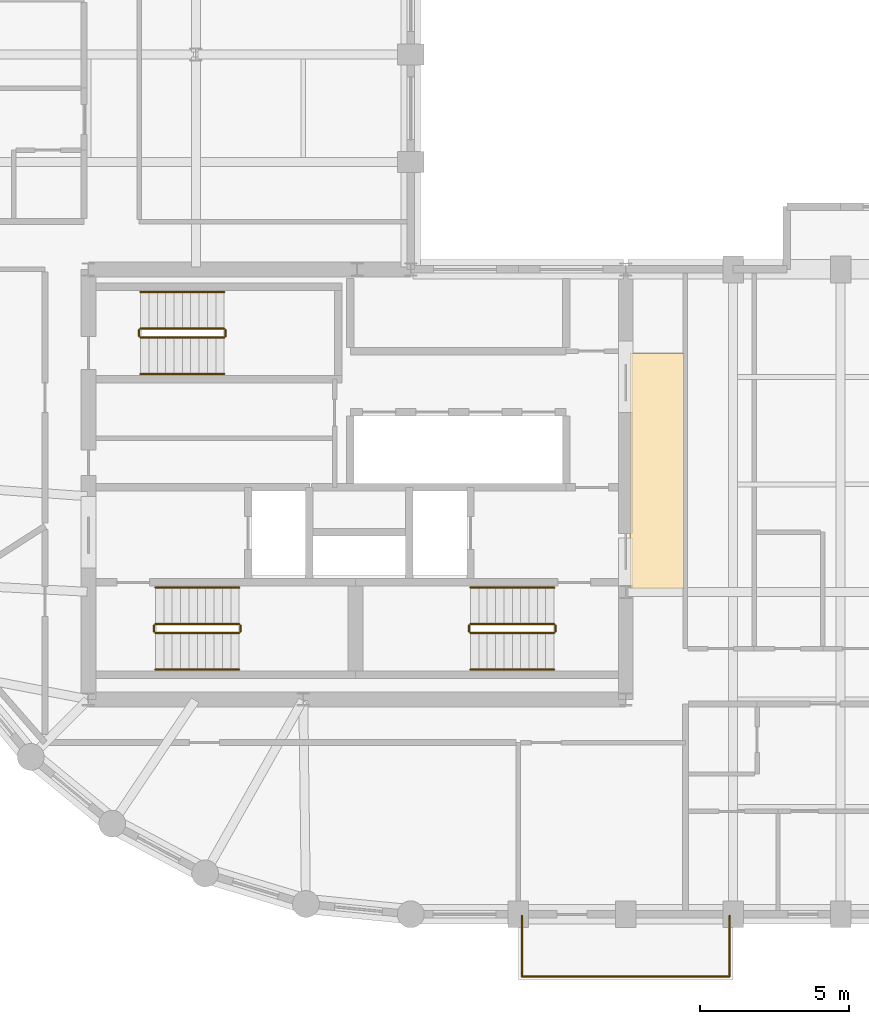
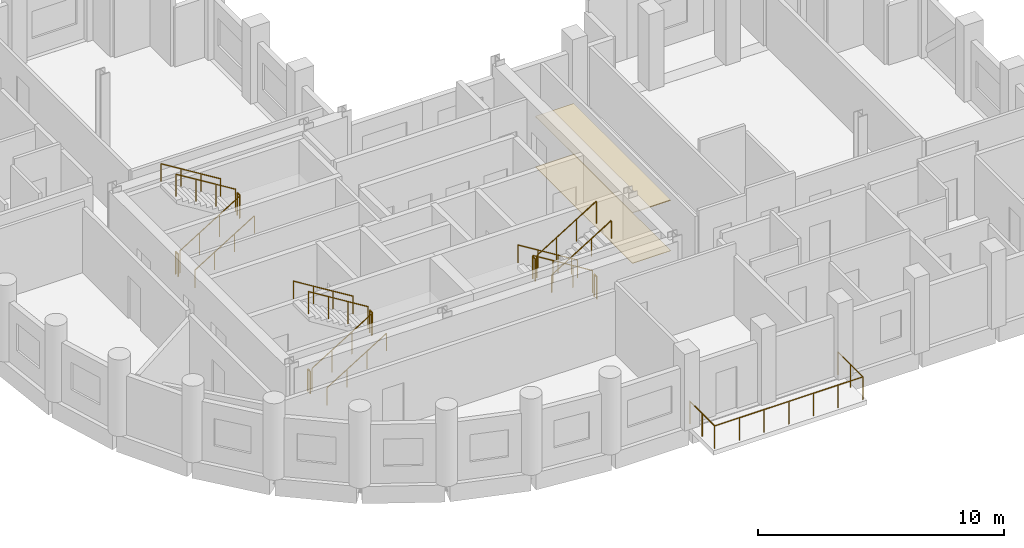
# One storey, part 8 of 8: 21 railings, 2 coverings.
"""IFC4 building model written with IfcOpenShell, lengths in metres."""

from ifc_helpers import new_model, si_unit, direction, frame, origin, origin_2d, place, context, subcontext, project, spatial, polyline, circle, outline, extrude, material, layer, layer_set, type_object, element, save


model = new_model("IFC4")

# Units and contexts
model_context = context("Model", 3, precision=1e-05, world=origin(), true_north=direction((0.0, 1.0)))
body_context = subcontext(model_context, "Body", "Model", "MODEL_VIEW")
ifc_project = project(units=[si_unit("LENGTHUNIT", "METRE"), si_unit("AREAUNIT", "SQUARE_METRE"), si_unit("VOLUMEUNIT", "CUBIC_METRE"), si_unit("PLANEANGLEUNIT", "RADIAN"), si_unit("MASSUNIT", "GRAM", prefix="KILO")], contexts=[model_context])

# Site, building, storey
site_placement = place(None, origin())
site = spatial("IfcSite", under=ifc_project, at=site_placement, CompositionType="ELEMENT")
building_placement = place(site_placement, origin())
building = spatial("IfcBuilding", under=site, at=building_placement, Name="Solnavia Interchange Tower", CompositionType="ELEMENT")
storey_placement = place(building_placement, frame((0.0, 0.0, 178.60009765625)))
storey = spatial("IfcBuildingStorey", under=building, at=storey_placement, Name="L44", CompositionType="ELEMENT", Elevation=178.60009765625)

# Coverings
ifc_material_1 = material(Name="Perforated Mineral-Fibre & Gypsum Ceiling", Category="gypsum")
ifc_layer_1 = layer(ifc_material_1, 0.0400390625)
ifc_layer_set_1 = layer_set([ifc_layer_1], Name="Perforated Mineral-Fibre & Gypsum Ceiling")
covering_type_1 = type_object("IfcCoveringType", Name="Covering-Ceiling-Acoustic40", PredefinedType="CEILING", material=ifc_layer_set_1)
covering_1_placement = place(storey_placement, frame((0.0, 0.0, 2.5)))
element("IfcCovering", 1, at=covering_1_placement, inside=storey, type_object=covering_type_1, Name="CLG-L44-01 Circulation suspended acoustic ceiling", PredefinedType="CEILING", context=body_context, shape_type="SweptSolid", body=[
    extrude(outline(polyline([(32.550048828125, 14.5), (34.35009765625, 14.5), (34.35009765625, 22.39990234375), (32.550048828125, 22.39990234375), (32.550048828125, 14.5)])), origin(), (0.0, 0.0, 1.0), 0.039794921875),
])
ifc_material_2 = material(Name="Engineered European Oak Flooring", Category="wood")
ifc_layer_2 = layer(ifc_material_2, 0.02001953125)
ifc_layer_set_2 = layer_set([ifc_layer_2], Name="Engineered European Oak Flooring")
covering_type_2 = type_object("IfcCoveringType", Name="Covering-Flooring-Timber20", PredefinedType="FLOORING", material=ifc_layer_set_2)
covering_2_placement = place(storey_placement, origin())
element("IfcCovering", 2, at=covering_2_placement, inside=storey, type_object=covering_type_2, Name="FLR-L44-01 Circulation floor finish", PredefinedType="FLOORING", context=body_context, shape_type="SweptSolid", body=[
    extrude(outline(polyline([(32.550048828125, 14.5), (34.35009765625, 14.5), (34.35009765625, 22.39990234375), (32.550048828125, 22.39990234375), (32.550048828125, 14.5)])), origin(), (0.0, 0.0, 1.0), 0.02001953125),
])

# Railings
ifc_material_3 = material(Name="Painted Steel Balustrade", Category="steel")
railing_type_1 = type_object("IfcRailingType", Name="Railing-StairGuard-1100", PredefinedType="GUARDRAIL", material=ifc_material_3)
railing_1_placement = place(storey_placement, frame((16.64990234375, 13.02001953125, 0.172607421875)))
element("IfcRailing", 3, at=railing_1_placement, inside=storey, type_object=railing_type_1, Name="L44 ST-1 stair guard 1", PredefinedType="GUARDRAIL", context=body_context, shape_type="SweptSolid", body=[
    extrude(circle(Radius=0.02392578125, at=origin_2d()), frame((0.0, 0.0, 1.09619140625), z_axis=(0.851089632645, 0.0, 0.525020415988), x_axis=(0.0, 1.0, 0.0)), (0.0, 0.0, 1.0), 3.2900390625),
    extrude(circle(Radius=0.02099609375, at=origin_2d()), origin(), (0.0, 0.0, 1.0), 1.072021484375),
    extrude(circle(Radius=0.02099609375, at=origin_2d()), frame((0.933349609375, 0.0, 0.57568359375)), (0.0, 0.0, 1.0), 1.072021484375),
    extrude(circle(Radius=0.02099609375, at=origin_2d()), frame((1.86669921875, 0.0, 1.151611328125)), (0.0, 0.0, 1.0), 1.072021484375),
    extrude(circle(Radius=0.02099609375, at=origin_2d()), frame((2.800048828125, 0.0, 1.727294921875)), (0.0, 0.0, 1.0), 1.072021484375),
])
railing_2_placement = place(storey_placement, frame((19.5, 13.070068359375, 1.89990234375)))
element("IfcRailing", 4, at=railing_2_placement, inside=storey, type_object=railing_type_1, Name="L44 ST-1 stair guard 2", PredefinedType="GUARDRAIL", context=body_context, shape_type="SweptSolid", body=[
    extrude(circle(Radius=0.02392578125, at=origin_2d()), frame((0.0, 0.0, 1.09619140625), z_axis=(0.0, 1.0, 0.0), x_axis=(-1.0, 0.0, 0.0)), (0.0, 0.0, 1.0), 0.199951171875),
    extrude(circle(Radius=0.02099609375, at=origin_2d()), origin(), (0.0, 0.0, 1.0), 1.072021484375),
    extrude(circle(Radius=0.02099609375, at=origin_2d()), frame((0.0, 0.199951171875, 0.0)), (0.0, 0.0, 1.0), 1.072021484375),
])
railing_3_placement = place(storey_placement, frame((19.449951171875, 13.320068359375, 2.072509765625)))
element("IfcRailing", 5, at=railing_3_placement, inside=storey, type_object=railing_type_1, Name="L44 ST-1 stair guard 3", PredefinedType="GUARDRAIL", context=body_context, shape_type="SweptSolid", body=[
    extrude(circle(Radius=0.02392578125, at=origin_2d()), frame((0.0, 0.0, 1.09619140625), z_axis=(-0.851089632645, 0.0, 0.525020415988), x_axis=(0.0, -1.0, 0.0)), (0.0, 0.0, 1.0), 3.2900390625),
    extrude(circle(Radius=0.02099609375, at=origin_2d()), origin(), (0.0, 0.0, 1.0), 1.072021484375),
    extrude(circle(Radius=0.02099609375, at=origin_2d()), frame((-0.933349609375, 0.0, 0.57568359375)), (0.0, 0.0, 1.0), 1.072021484375),
    extrude(circle(Radius=0.02099609375, at=origin_2d()), frame((-1.86669921875, 0.0, 1.151611328125)), (0.0, 0.0, 1.0), 1.072021484375),
    extrude(circle(Radius=0.02099609375, at=origin_2d()), frame((-2.800048828125, 0.0, 1.727294921875)), (0.0, 0.0, 1.0), 1.072021484375),
])
railing_4_placement = place(storey_placement, frame((16.60009765625, 13.070068359375, 0.0)))
element("IfcRailing", 6, at=railing_4_placement, inside=storey, type_object=railing_type_1, Name="L44 ST-1 stair guard 4", PredefinedType="GUARDRAIL", context=body_context, shape_type="SweptSolid", body=[
    extrude(circle(Radius=0.02392578125, at=origin_2d()), frame((0.0, 0.0, 1.09619140625), z_axis=(0.0, 1.0, 0.0), x_axis=(-1.0, 0.0, 0.0)), (0.0, 0.0, 1.0), 0.199951171875),
    extrude(circle(Radius=0.02099609375, at=origin_2d()), origin(), (0.0, 0.0, 1.0), 1.072021484375),
    extrude(circle(Radius=0.02099609375, at=origin_2d()), frame((0.0, 0.199951171875, 0.0)), (0.0, 0.0, 1.0), 1.072021484375),
])
railing_5_placement = place(storey_placement, frame((30.0, 13.320068359375, 0.172607421875)))
element("IfcRailing", 7, at=railing_5_placement, inside=storey, type_object=railing_type_1, Name="L44 ST-2 stair guard 1", PredefinedType="GUARDRAIL", context=body_context, shape_type="SweptSolid", body=[
    extrude(circle(Radius=0.02392578125, at=origin_2d()), frame((0.0, 0.0, 1.09619140625), z_axis=(-0.851089632645, 0.0, 0.525020415988), x_axis=(0.0, -1.0, 0.0)), (0.0, 0.0, 1.0), 3.2900390625),
    extrude(circle(Radius=0.02099609375, at=origin_2d()), origin(), (0.0, 0.0, 1.0), 1.072021484375),
    extrude(circle(Radius=0.02099609375, at=origin_2d()), frame((-0.933349609375, 0.0, 0.57568359375)), (0.0, 0.0, 1.0), 1.072021484375),
    extrude(circle(Radius=0.02099609375, at=origin_2d()), frame((-1.86669921875, 0.0, 1.151611328125)), (0.0, 0.0, 1.0), 1.072021484375),
    extrude(circle(Radius=0.02099609375, at=origin_2d()), frame((-2.800048828125, 0.0, 1.727294921875)), (0.0, 0.0, 1.0), 1.072021484375),
])
railing_6_placement = place(storey_placement, frame((27.14990234375, 13.27001953125, 1.89990234375)))
element("IfcRailing", 8, at=railing_6_placement, inside=storey, type_object=railing_type_1, Name="L44 ST-2 stair guard 2", PredefinedType="GUARDRAIL", context=body_context, shape_type="SweptSolid", body=[
    extrude(circle(Radius=0.02392578125, at=origin_2d()), frame((0.0, 0.0, 1.09619140625), z_axis=(0.0, -1.0, 0.0), x_axis=(1.0, 0.0, 0.0)), (0.0, 0.0, 1.0), 0.199951171875),
    extrude(circle(Radius=0.02099609375, at=origin_2d()), origin(), (0.0, 0.0, 1.0), 1.072021484375),
    extrude(circle(Radius=0.02099609375, at=origin_2d()), frame((0.0, -0.199951171875, 0.0)), (0.0, 0.0, 1.0), 1.072021484375),
])
railing_7_placement = place(storey_placement, frame((27.199951171875, 13.02001953125, 2.072509765625)))
element("IfcRailing", 9, at=railing_7_placement, inside=storey, type_object=railing_type_1, Name="L44 ST-2 stair guard 3", PredefinedType="GUARDRAIL", context=body_context, shape_type="SweptSolid", body=[
    extrude(circle(Radius=0.02392578125, at=origin_2d()), frame((0.0, 0.0, 1.09619140625), z_axis=(0.851089632645, 0.0, 0.525020415988), x_axis=(0.0, 1.0, 0.0)), (0.0, 0.0, 1.0), 3.2900390625),
    extrude(circle(Radius=0.02099609375, at=origin_2d()), origin(), (0.0, 0.0, 1.0), 1.072021484375),
    extrude(circle(Radius=0.02099609375, at=origin_2d()), frame((0.933349609375, 0.0, 0.57568359375)), (0.0, 0.0, 1.0), 1.072021484375),
    extrude(circle(Radius=0.02099609375, at=origin_2d()), frame((1.86669921875, 0.0, 1.151611328125)), (0.0, 0.0, 1.0), 1.072021484375),
    extrude(circle(Radius=0.02099609375, at=origin_2d()), frame((2.800048828125, 0.0, 1.727294921875)), (0.0, 0.0, 1.0), 1.072021484375),
])
railing_8_placement = place(storey_placement, frame((30.050048828125, 13.27001953125, 0.0)))
element("IfcRailing", 10, at=railing_8_placement, inside=storey, type_object=railing_type_1, Name="L44 ST-2 stair guard 4", PredefinedType="GUARDRAIL", context=body_context, shape_type="SweptSolid", body=[
    extrude(circle(Radius=0.02392578125, at=origin_2d()), frame((0.0, 0.0, 1.09619140625), z_axis=(0.0, -1.0, 0.0), x_axis=(1.0, 0.0, 0.0)), (0.0, 0.0, 1.0), 0.199951171875),
    extrude(circle(Radius=0.02099609375, at=origin_2d()), origin(), (0.0, 0.0, 1.0), 1.072021484375),
    extrude(circle(Radius=0.02099609375, at=origin_2d()), frame((0.0, -0.199951171875, 0.0)), (0.0, 0.0, 1.0), 1.072021484375),
])
railing_9_placement = place(storey_placement, frame((16.14990234375, 22.919921875, 0.172607421875)))
element("IfcRailing", 11, at=railing_9_placement, inside=storey, type_object=railing_type_1, Name="L44 ST-3 stair guard 1", PredefinedType="GUARDRAIL", context=body_context, shape_type="SweptSolid", body=[
    extrude(circle(Radius=0.02392578125, at=origin_2d()), frame((0.0, 0.0, 1.09619140625), z_axis=(0.851089632645, 0.0, 0.525020415988), x_axis=(0.0, 1.0, 0.0)), (0.0, 0.0, 1.0), 3.2900390625),
    extrude(circle(Radius=0.02099609375, at=origin_2d()), origin(), (0.0, 0.0, 1.0), 1.072021484375),
    extrude(circle(Radius=0.02099609375, at=origin_2d()), frame((0.933349609375, 0.0, 0.57568359375)), (0.0, 0.0, 1.0), 1.072021484375),
    extrude(circle(Radius=0.02099609375, at=origin_2d()), frame((1.86669921875, 0.0, 1.151611328125)), (0.0, 0.0, 1.0), 1.072021484375),
    extrude(circle(Radius=0.02099609375, at=origin_2d()), frame((2.800048828125, 0.0, 1.727294921875)), (0.0, 0.0, 1.0), 1.072021484375),
])
railing_10_placement = place(storey_placement, frame((19.0, 22.969970703125, 1.89990234375)))
element("IfcRailing", 12, at=railing_10_placement, inside=storey, type_object=railing_type_1, Name="L44 ST-3 stair guard 2", PredefinedType="GUARDRAIL", context=body_context, shape_type="SweptSolid", body=[
    extrude(circle(Radius=0.02392578125, at=origin_2d()), frame((0.0, 0.0, 1.09619140625), z_axis=(0.0, 1.0, 0.0), x_axis=(-1.0, 0.0, 0.0)), (0.0, 0.0, 1.0), 0.199951171875),
    extrude(circle(Radius=0.02099609375, at=origin_2d()), origin(), (0.0, 0.0, 1.0), 1.072021484375),
    extrude(circle(Radius=0.02099609375, at=origin_2d()), frame((0.0, 0.199951171875, 0.0)), (0.0, 0.0, 1.0), 1.072021484375),
])
railing_11_placement = place(storey_placement, frame((18.949951171875, 23.219970703125, 2.072509765625)))
element("IfcRailing", 13, at=railing_11_placement, inside=storey, type_object=railing_type_1, Name="L44 ST-3 stair guard 3", PredefinedType="GUARDRAIL", context=body_context, shape_type="SweptSolid", body=[
    extrude(circle(Radius=0.02392578125, at=origin_2d()), frame((0.0, 0.0, 1.09619140625), z_axis=(-0.851089632645, 0.0, 0.525020415988), x_axis=(0.0, -1.0, 0.0)), (0.0, 0.0, 1.0), 3.2900390625),
    extrude(circle(Radius=0.02099609375, at=origin_2d()), origin(), (0.0, 0.0, 1.0), 1.072021484375),
    extrude(circle(Radius=0.02099609375, at=origin_2d()), frame((-0.933349609375, 0.0, 0.57568359375)), (0.0, 0.0, 1.0), 1.072021484375),
    extrude(circle(Radius=0.02099609375, at=origin_2d()), frame((-1.86669921875, 0.0, 1.151611328125)), (0.0, 0.0, 1.0), 1.072021484375),
    extrude(circle(Radius=0.02099609375, at=origin_2d()), frame((-2.800048828125, 0.0, 1.727294921875)), (0.0, 0.0, 1.0), 1.072021484375),
])
railing_12_placement = place(storey_placement, frame((16.10009765625, 22.969970703125, 0.0)))
element("IfcRailing", 14, at=railing_12_placement, inside=storey, type_object=railing_type_1, Name="L44 ST-3 stair guard 4", PredefinedType="GUARDRAIL", context=body_context, shape_type="SweptSolid", body=[
    extrude(circle(Radius=0.02392578125, at=origin_2d()), frame((0.0, 0.0, 1.09619140625), z_axis=(0.0, 1.0, 0.0), x_axis=(-1.0, 0.0, 0.0)), (0.0, 0.0, 1.0), 0.199951171875),
    extrude(circle(Radius=0.02099609375, at=origin_2d()), origin(), (0.0, 0.0, 1.0), 1.072021484375),
    extrude(circle(Radius=0.02099609375, at=origin_2d()), frame((0.0, 0.199951171875, 0.0)), (0.0, 0.0, 1.0), 1.072021484375),
])
ifc_material_4 = material(Name="Brushed Stainless Steel", Category="steel")
railing_type_2 = type_object("IfcRailingType", Name="Railing-StairHandrail-900", PredefinedType="HANDRAIL", material=ifc_material_4)
railing_13_placement = place(storey_placement, frame((16.64990234375, 11.800048828125, 0.172607421875)))
element("IfcRailing", 15, at=railing_13_placement, inside=storey, type_object=railing_type_2, Name="L44 ST-1 stair handrail 1", PredefinedType="HANDRAIL", context=body_context, shape_type="SweptSolid", body=[
    extrude(circle(Radius=0.02392578125, at=origin_2d()), frame((0.0, 0.0, 0.8759765625), z_axis=(0.851089632645, 0.0, 0.525020415988), x_axis=(0.0, 1.0, 0.0)), (0.0, 0.0, 1.0), 3.2900390625),
    extrude(circle(Radius=0.02099609375, at=origin_2d()), origin(), (0.0, 0.0, 1.0), 0.851806640625),
    extrude(circle(Radius=0.02099609375, at=origin_2d()), frame((0.933349609375, 0.0, 0.57568359375)), (0.0, 0.0, 1.0), 0.851806640625),
    extrude(circle(Radius=0.02099609375, at=origin_2d()), frame((1.86669921875, 0.0, 1.151611328125)), (0.0, 0.0, 1.0), 0.851806640625),
    extrude(circle(Radius=0.02099609375, at=origin_2d()), frame((2.800048828125, 0.0, 1.727294921875)), (0.0, 0.0, 1.0), 0.851806640625),
])
for number, where, name in (
    (16, (19.449951171875, 14.5400390625, 2.072509765625), "L44 ST-1 stair handrail 2"),
    (17, (30.0, 14.5400390625, 0.172607421875), "L44 ST-2 stair handrail 1"),
):
    element("IfcRailing", number, at=place(storey_placement, frame(where)), inside=storey, type_object=railing_type_2, Name=name, PredefinedType="HANDRAIL", context=body_context, shape_type="SweptSolid", body=[
        extrude(circle(Radius=0.02392578125, at=origin_2d()), frame((0.0, 0.0, 0.8759765625), z_axis=(-0.851089632645, 0.0, 0.525020415988), x_axis=(0.0, -1.0, 0.0)), (0.0, 0.0, 1.0), 3.2900390625),
        extrude(circle(Radius=0.02099609375, at=origin_2d()), origin(), (0.0, 0.0, 1.0), 0.851806640625),
        extrude(circle(Radius=0.02099609375, at=origin_2d()), frame((-0.933349609375, 0.0, 0.57568359375)), (0.0, 0.0, 1.0), 0.851806640625),
        extrude(circle(Radius=0.02099609375, at=origin_2d()), frame((-1.86669921875, 0.0, 1.151611328125)), (0.0, 0.0, 1.0), 0.851806640625),
        extrude(circle(Radius=0.02099609375, at=origin_2d()), frame((-2.800048828125, 0.0, 1.727294921875)), (0.0, 0.0, 1.0), 0.851806640625),
    ])
for number, where, name in (
    (18, (27.199951171875, 11.800048828125, 2.072509765625), "L44 ST-2 stair handrail 2"),
    (19, (16.14990234375, 21.699951171875, 0.172607421875), "L44 ST-3 stair handrail 1"),
):
    element("IfcRailing", number, at=place(storey_placement, frame(where)), inside=storey, type_object=railing_type_2, Name=name, PredefinedType="HANDRAIL", context=body_context, shape_type="SweptSolid", body=[
        extrude(circle(Radius=0.02392578125, at=origin_2d()), frame((0.0, 0.0, 0.8759765625), z_axis=(0.851089632645, 0.0, 0.525020415988), x_axis=(0.0, 1.0, 0.0)), (0.0, 0.0, 1.0), 3.2900390625),
        extrude(circle(Radius=0.02099609375, at=origin_2d()), origin(), (0.0, 0.0, 1.0), 0.851806640625),
        extrude(circle(Radius=0.02099609375, at=origin_2d()), frame((0.933349609375, 0.0, 0.57568359375)), (0.0, 0.0, 1.0), 0.851806640625),
        extrude(circle(Radius=0.02099609375, at=origin_2d()), frame((1.86669921875, 0.0, 1.151611328125)), (0.0, 0.0, 1.0), 0.851806640625),
        extrude(circle(Radius=0.02099609375, at=origin_2d()), frame((2.800048828125, 0.0, 1.727294921875)), (0.0, 0.0, 1.0), 0.851806640625),
    ])
railing_14_placement = place(storey_placement, frame((18.949951171875, 24.43994140625, 2.072509765625)))
element("IfcRailing", 20, at=railing_14_placement, inside=storey, type_object=railing_type_2, Name="L44 ST-3 stair handrail 2", PredefinedType="HANDRAIL", context=body_context, shape_type="SweptSolid", body=[
    extrude(circle(Radius=0.02392578125, at=origin_2d()), frame((0.0, 0.0, 0.8759765625), z_axis=(-0.851089632645, 0.0, 0.525020415988), x_axis=(0.0, -1.0, 0.0)), (0.0, 0.0, 1.0), 3.2900390625),
    extrude(circle(Radius=0.02099609375, at=origin_2d()), origin(), (0.0, 0.0, 1.0), 0.851806640625),
    extrude(circle(Radius=0.02099609375, at=origin_2d()), frame((-0.933349609375, 0.0, 0.57568359375)), (0.0, 0.0, 1.0), 0.851806640625),
    extrude(circle(Radius=0.02099609375, at=origin_2d()), frame((-1.86669921875, 0.0, 1.151611328125)), (0.0, 0.0, 1.0), 0.851806640625),
    extrude(circle(Radius=0.02099609375, at=origin_2d()), frame((-2.800048828125, 0.0, 1.727294921875)), (0.0, 0.0, 1.0), 0.851806640625),
])
ifc_material_5 = material(Name="Laminated Safety Glass & Stainless Steel", Category="steel")
railing_type_3 = type_object("IfcRailingType", Name="Railing-TerraceGuard-1150", PredefinedType="GUARDRAIL", material=ifc_material_5)
railing_15_placement = place(storey_placement, frame((28.919921875, 3.550048828125, -0.0400390625)))
element("IfcRailing", 21, at=railing_15_placement, inside=storey, type_object=railing_type_3, Name="GRD-L44-TER-01 Perimeter terrace guardrail", PredefinedType="GUARDRAIL", context=body_context, shape_type="SweptSolid", body=[
    extrude(circle(Radius=0.02392578125, at=origin_2d()), frame((0.0, 0.0, 1.1259765625), z_axis=(0.0, -1.0, 0.0), x_axis=(1.0, 0.0, 0.0)), (0.0, 0.0, 1.0), 2.030029296875),
    extrude(circle(Radius=0.02099609375, at=origin_2d()), origin(), (0.0, 0.0, 1.0), 1.101806640625),
    extrude(circle(Radius=0.02099609375, at=origin_2d()), frame((0.0, -1.01513671875, 0.0)), (0.0, 0.0, 1.0), 1.101806640625),
    extrude(circle(Radius=0.02099609375, at=origin_2d()), frame((0.0, -2.030029296875, 0.0)), (0.0, 0.0, 1.0), 1.101806640625),
])
railing_16_placement = place(storey_placement, frame((28.919921875, 1.52001953125, -0.0400390625)))
element("IfcRailing", 22, at=railing_16_placement, inside=storey, type_object=railing_type_3, Name="GRD-L44-TER-02 Perimeter terrace guardrail", PredefinedType="GUARDRAIL", context=body_context, shape_type="SweptSolid", body=[
    extrude(circle(Radius=0.02392578125, at=origin_2d()), frame((0.0, 0.0, 1.1259765625), z_axis=(1.0, 0.0, 0.0), x_axis=(0.0, 1.0, 0.0)), (0.0, 0.0, 1.0), 6.9599609375),
    extrude(circle(Radius=0.02099609375, at=origin_2d()), origin(), (0.0, 0.0, 1.0), 1.101806640625),
    extrude(circle(Radius=0.02099609375, at=origin_2d()), frame((1.159912109375, 0.0, 0.0)), (0.0, 0.0, 1.0), 1.101806640625),
    extrude(circle(Radius=0.02099609375, at=origin_2d()), frame((2.320068359375, 0.0, 0.0)), (0.0, 0.0, 1.0), 1.101806640625),
    extrude(circle(Radius=0.02099609375, at=origin_2d()), frame((3.47998046875, 0.0, 0.0)), (0.0, 0.0, 1.0), 1.101806640625),
    extrude(circle(Radius=0.02099609375, at=origin_2d()), frame((4.639892578125, 0.0, 0.0)), (0.0, 0.0, 1.0), 1.101806640625),
    extrude(circle(Radius=0.02099609375, at=origin_2d()), frame((5.800048828125, 0.0, 0.0)), (0.0, 0.0, 1.0), 1.101806640625),
    extrude(circle(Radius=0.02099609375, at=origin_2d()), frame((6.9599609375, 0.0, 0.0)), (0.0, 0.0, 1.0), 1.101806640625),
])
railing_17_placement = place(storey_placement, frame((35.8798828125, 1.52001953125, -0.0400390625)))
element("IfcRailing", 23, at=railing_17_placement, inside=storey, type_object=railing_type_3, Name="GRD-L44-TER-03 Perimeter terrace guardrail", PredefinedType="GUARDRAIL", context=body_context, shape_type="SweptSolid", body=[
    extrude(circle(Radius=0.02392578125, at=origin_2d()), frame((0.0, 0.0, 1.1259765625), z_axis=(0.0, 1.0, 0.0), x_axis=(-1.0, 0.0, 0.0)), (0.0, 0.0, 1.0), 2.030029296875),
    extrude(circle(Radius=0.02099609375, at=origin_2d()), origin(), (0.0, 0.0, 1.0), 1.101806640625),
    extrude(circle(Radius=0.02099609375, at=origin_2d()), frame((0.0, 1.01513671875, 0.0)), (0.0, 0.0, 1.0), 1.101806640625),
    extrude(circle(Radius=0.02099609375, at=origin_2d()), frame((0.0, 2.030029296875, 0.0)), (0.0, 0.0, 1.0), 1.101806640625),
])

save(model, "model.ifc")
